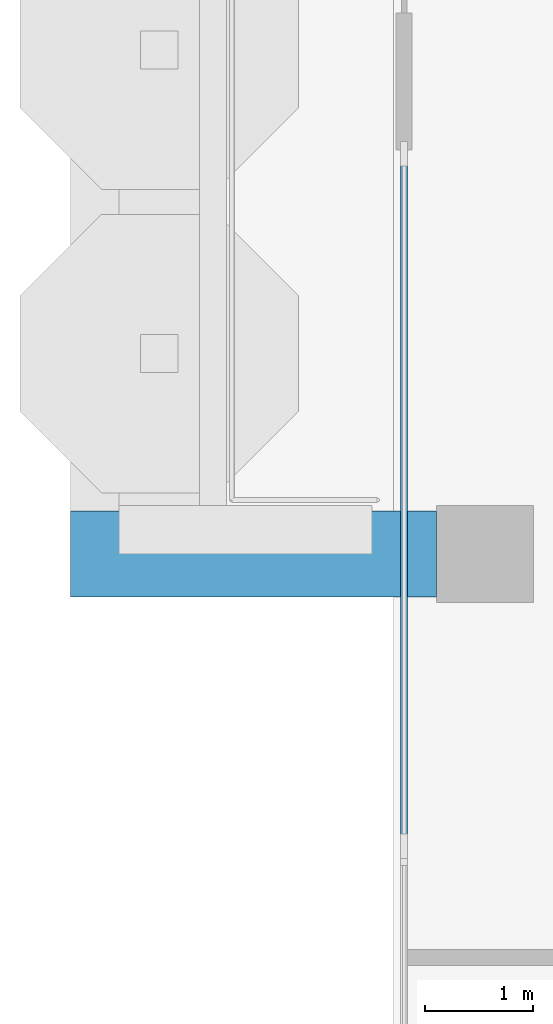
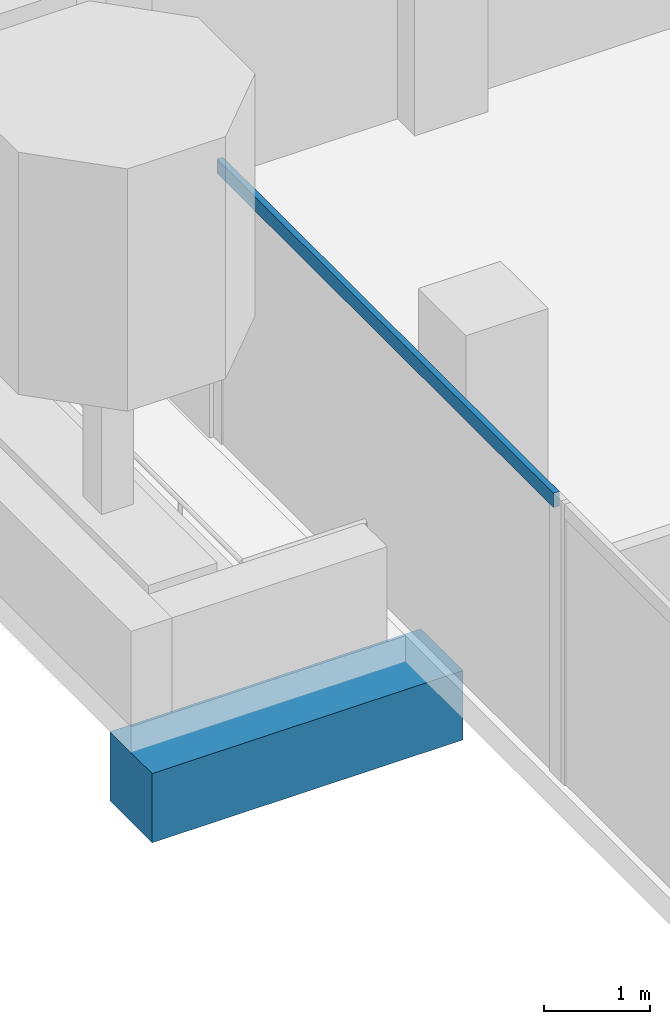
# One storey, part 3 of 18: 1 beam, 1 member, 1 element without a shape of its own.
"""IFC4 building model written with IfcOpenShell, lengths in metres."""

import ifcopenshell
import ifcopenshell.guid

model = None  # the IFC model being written
_history = None  # IfcOwnerHistory: only IFC2X3 demands one
_inside = {}  # id of a spatial element -> (the spatial element, [elements in it])
_under = {}  # id of a project, library or spatial element -> (it, [spatial elements below it])
_declared = {}  # id of a project -> (the project, [libraries it declares])
_typed = {}  # id of a type object -> (the type object, [elements of that type])
_made_of = {}  # id of a material, layer set ... -> (it, [elements and type objects made of it])


def new_model(schema):
    """Start an empty IFC model of exactly this schema.

    Asked for "IFC4X3", IfcOpenShell would pick the latest addendum, in which some entities
    have other attributes; the version numbers below select the first issue.
    IFC2X3 requires an IfcOwnerHistory on every rooted entity: one is made here for all.
    """
    global model, _history
    if schema == "IFC4X3":
        model = ifcopenshell.file(schema_version=(4, 3, 0, 0))
    else:
        model = ifcopenshell.file(schema=schema)
    _inside.clear()
    _under.clear()
    _declared.clear()
    _typed.clear()
    _made_of.clear()
    _history = None
    if model.schema == "IFC2X3":
        org = make("IfcOrganization", Name="unknown")
        user = make(
            "IfcPersonAndOrganization",
            ThePerson=make("IfcPerson", FamilyName="unknown"),
            TheOrganization=org,
        )
        app = make(
            "IfcApplication",
            ApplicationDeveloper=org,
            Version="unknown",
            ApplicationFullName="unknown",
            ApplicationIdentifier="unknown",
        )
        _history = make(
            "IfcOwnerHistory",
            OwningUser=user,
            OwningApplication=app,
            ChangeAction="ADDED",
            CreationDate=0,
        )
    return model


def make(cls, **values):
    """One entity of the class cls with the attributes given. An attribute that is None is left unset."""
    return model.create_entity(
        cls, **{name: value for name, value in values.items() if value is not None}
    )


def rooted(cls, **values):
    """An entity with a GlobalId (a new one), such as an element, a storey or a relation."""
    return make(cls, GlobalId=ifcopenshell.guid.new(), OwnerHistory=_history, **values)


def si_unit(unit_type, name, prefix=None):
    """IfcSIUnit, for example si_unit("LENGTHUNIT", "METRE", prefix="MILLI")."""
    return make("IfcSIUnit", UnitType=unit_type, Prefix=prefix, Name=name)


def assignment(units):
    """IfcUnitAssignment: the units of a project."""
    return None if units is None else make("IfcUnitAssignment", Units=units)


def point(xyz):
    """IfcCartesianPoint."""
    return None if xyz is None else make("IfcCartesianPoint", Coordinates=xyz)


def direction(xyz):
    """IfcDirection."""
    return None if xyz is None else make("IfcDirection", DirectionRatios=xyz)


def frame(location, z_axis=None, x_axis=None):
    """IfcAxis2Placement3D, a coordinate frame: its origin and axes. An axis left out is left unset."""
    return make(
        "IfcAxis2Placement3D",
        Location=point(location),
        Axis=direction(z_axis),
        RefDirection=direction(x_axis),
    )


def frame_2d(location, x_axis=None):
    """IfcAxis2Placement2D, a coordinate frame in the plane: its origin and x axis."""
    return make(
        "IfcAxis2Placement2D", Location=point(location), RefDirection=direction(x_axis)
    )


def origin():
    """The frame at (0, 0, 0) with its axes left unset."""
    return frame((0.0, 0.0, 0.0))


def origin_2d():
    """The frame at (0, 0) in the plane with its x axis left unset."""
    return frame_2d((0.0, 0.0))


def place(relative_to, where):
    """IfcLocalPlacement: puts the frame where relative to a parent placement (None: the world)."""
    return make(
        "IfcLocalPlacement", PlacementRelTo=relative_to, RelativePlacement=where
    )


def context(
    kind, dimensions, precision=None, world=None, true_north=None, identifier=None
):
    """IfcGeometricRepresentationContext, for example the 3D "Model" context."""
    return make(
        "IfcGeometricRepresentationContext",
        ContextIdentifier=identifier,
        ContextType=kind,
        CoordinateSpaceDimension=dimensions,
        Precision=precision,
        WorldCoordinateSystem=world,
        TrueNorth=true_north,
    )


def subcontext(parent, identifier, kind, view, scale=None):
    """IfcGeometricRepresentationSubContext, for example "Body" below "Model"."""
    return make(
        "IfcGeometricRepresentationSubContext",
        ContextIdentifier=identifier,
        ContextType=kind,
        ParentContext=parent,
        TargetScale=scale,
        TargetView=view,
    )


def project(units=None, contexts=None):
    """IfcProject with its units and contexts."""
    return rooted(
        "IfcProject",
        Name="project",
        RepresentationContexts=contexts,
        UnitsInContext=assignment(units),
    )


def spatial(cls, under=None, at=None, **own):
    """A site, building, storey or space (cls), placed at a placement, below another one or the project."""
    s = rooted(cls, ObjectPlacement=at, **own)
    if under is not None:
        _under.setdefault(under.id(), (under, []))[1].append(s)
    return s


def profile(cls, at=None, kind="AREA", **sizes):
    """A parametric profile (cls). Its sizes go by their IFC names, for example OverallWidth=200.0."""
    return make(cls, ProfileType=kind, Position=at, **sizes)


def rectangle(**sizes):
    """IfcRectangleProfileDef."""
    return profile("IfcRectangleProfileDef", **sizes)


def extrude(swept, where, along, depth):
    """IfcExtrudedAreaSolid: the profile swept, set in the frame where, extruded along a direction by depth."""
    return make(
        "IfcExtrudedAreaSolid",
        SweptArea=swept,
        Position=where,
        ExtrudedDirection=direction(along),
        Depth=depth,
    )


def shape(context_of_items, identifier, shape_type, items):
    """IfcShapeRepresentation: the items that make up one representation, for example the "Body"."""
    return make(
        "IfcShapeRepresentation",
        ContextOfItems=context_of_items,
        RepresentationIdentifier=identifier,
        RepresentationType=shape_type,
        Items=items,
    )


def material(Name=None, Category=None):
    """IfcMaterial."""
    return make("IfcMaterial", Name=Name, Category=Category)


def material_profile(
    of_material, cross_section, Name=None, Category=None, Priority=None
):
    """IfcMaterialProfile: a cross section and its material."""
    return make(
        "IfcMaterialProfile",
        Name=Name,
        Material=of_material,
        Profile=cross_section,
        Priority=Priority,
        Category=Category,
    )


def profile_set(profiles, Name=None, composite=None):
    """IfcMaterialProfileSet."""
    return make(
        "IfcMaterialProfileSet",
        Name=Name,
        MaterialProfiles=profiles,
        CompositeProfile=composite,
    )


def made_of(thing, what):
    """Note that an element or type object is made of a material, layer set ...; save() writes the relation."""
    if what is not None:
        _made_of.setdefault(what.id(), (what, []))[1].append(thing)
    return thing


def type_object(cls, material=None, **own):
    """A type object (cls), such as IfcWallType, which elements share."""
    return made_of(rooted(cls, **own), material)


def element(
    cls,
    number,
    at=None,
    inside=None,
    cuts=None,
    type_object=None,
    material=None,
    context=None,
    identifier="Body",
    shape_type=None,
    held_by="IfcProductDefinitionShape",
    body=None,
    shapes=None,
    **own,
):
    """One element of the class cls, such as IfcWall. Its Tag is "e" and its number.

    at: its placement. inside: the storey or other place that contains it. cuts: it is an
    opening in that element (IfcRelVoidsElement). A single representation is given by context,
    identifier, shape_type and body (its items); several are given by shapes. held_by: the class
    of the entity that holds the representations. save() writes the other relations.
    """
    e = rooted(cls, Tag="e%d" % number, ObjectPlacement=at, **own)
    if body is not None:
        shapes = [shape(context, identifier, shape_type, body)]
    if shapes is not None:
        e.Representation = make(held_by, Representations=shapes)
    if inside is not None:
        _inside.setdefault(inside.id(), (inside, []))[1].append(e)
    if cuts is not None:
        rooted(
            "IfcRelVoidsElement", RelatingBuildingElement=cuts, RelatedOpeningElement=e
        )
    if type_object is not None:
        _typed.setdefault(type_object.id(), (type_object, []))[1].append(e)
    return made_of(e, material)


def aggregate(whole, parts):
    """IfcRelAggregates: a whole, such as a stair, and the parts it consists of."""
    return rooted("IfcRelAggregates", RelatingObject=whole, RelatedObjects=parts)


def save(model, path):
    """Write the relations noted so far, then the file.

    IfcRelAggregates (storeys below a building ...), IfcRelContainedInSpatialStructure (elements
    in a storey), IfcRelDefinesByType, IfcRelAssociatesMaterial and IfcRelDeclares: one each for
    every whole, place, type object, material and project.
    """
    for whole, parts in _under.values():
        aggregate(whole, parts)
    for where, things in _inside.values():
        rooted(
            "IfcRelContainedInSpatialStructure",
            RelatedElements=things,
            RelatingStructure=where,
        )
    for kind, things in _typed.values():
        rooted("IfcRelDefinesByType", RelatedObjects=things, RelatingType=kind)
    for what, things in _made_of.values():
        rooted("IfcRelAssociatesMaterial", RelatedObjects=things, RelatingMaterial=what)
    for by, libraries in _declared.values():
        rooted("IfcRelDeclares", RelatingContext=by, RelatedDefinitions=libraries)
    model.write(path)


model = new_model("IFC4")

# Units and contexts
model_context = context("Model", 3, precision=1e-05, world=origin(), true_north=direction((0.0, 1.0)))
body_context = subcontext(model_context, "Body", "Model", "MODEL_VIEW")
ifc_project = project(units=[si_unit("LENGTHUNIT", "METRE"), si_unit("AREAUNIT", "SQUARE_METRE"), si_unit("VOLUMEUNIT", "CUBIC_METRE"), si_unit("PLANEANGLEUNIT", "RADIAN"), si_unit("MASSUNIT", "GRAM", prefix="KILO")], contexts=[model_context])

# Site, building, storey
site_placement = place(None, origin())
site = spatial("IfcSite", under=ifc_project, at=site_placement, CompositionType="ELEMENT")
building_placement = place(site_placement, origin())
building = spatial("IfcBuilding", under=site, at=building_placement, Name="Pilkhan Gate Tower", CompositionType="ELEMENT")
storey_placement = place(building_placement, frame((0.0, 0.0, 249.89990234375)))
storey = spatial("IfcBuildingStorey", under=building, at=storey_placement, Name="L65", CompositionType="ELEMENT", Elevation=249.89990234375)

# Beam
ifc_material_1 = material(Name="Concrete C50/60", Category="concrete")
ifc_material_profile_1 = material_profile(ifc_material_1, rectangle(XDim=0.800048828125, YDim=0.800048828125, at=origin_2d()), Name="RC 800x800")
ifc_profile_set_1 = profile_set([ifc_material_profile_1], Name="Concrete C50/60")
beam_type = type_object("IfcBeamType", Name="Cantilever beam CB2 RC 800x800 C50/60", PredefinedType="BEAM", material=ifc_profile_set_1)
beam_placement = place(storey_placement, frame((48.300048828125, 67.5, -0.699951171875), z_axis=(-1.0, 0.0, 0.0), x_axis=(0.0, -1.0, 0.0)))
element("IfcBeam", 1, at=beam_placement, inside=storey, type_object=beam_type, Name="Balcony beam W.1 L65", PredefinedType="BEAM", context=body_context, shape_type="SweptSolid", body=[
    extrude(rectangle(XDim=0.800048828125, YDim=0.800048828125, at=origin_2d()), origin(), (0.0, 0.0, 1.0), 3.400146484375),
])

# Curtain wall, member
ifc_material_2 = material(Name="Pale anodised aluminium, clear low-iron double glazing", Category="aluminium")
curtain_wall_type = type_object("IfcCurtainWallType", Name="Office unitised curtain wall CW-O2", PredefinedType="USERDEFINED", material=ifc_material_2)
curtain_wall_placement = place(storey_placement, origin())
curtain_wall = element("IfcCurtainWall", 2, at=curtain_wall_placement, inside=storey, type_object=curtain_wall_type, Name="Office unitised curtain wall CW-O2 L65 W", ObjectType="UNITISED CURTAIN WALL", PredefinedType="USERDEFINED")
ifc_material_3 = material(Name="Pale anodised aluminium", Category="aluminium")
ifc_material_profile_2 = material_profile(ifc_material_3, rectangle(XDim=0.06494140625, YDim=0.1650390625, at=origin_2d()), Name="Transom 165x65")
ifc_profile_set_2 = profile_set([ifc_material_profile_2], Name="Pale anodised aluminium")
member_type = type_object("IfcMemberType", Name="Transom CW-O2 165x65", PredefinedType="USERDEFINED", material=ifc_profile_set_2)
member_placement = place(storey_placement, frame((48.0, 64.81494140625, 3.16748046875), z_axis=(0.0, 1.0, 0.0), x_axis=(-1.0, 0.0, 0.0)))
member = element("IfcMember", 3, at=member_placement, type_object=member_type, Name="CW-O2 transom 1", ObjectType="TRANSOM", PredefinedType="USERDEFINED", context=body_context, shape_type="SweptSolid", body=[
    extrude(rectangle(XDim=0.06494140625, YDim=0.1650390625, at=origin_2d()), origin(), (0.0, 0.0, 1.0), 6.3701171875),
])
aggregate(curtain_wall, [member])

save(model, "model.ifc")
